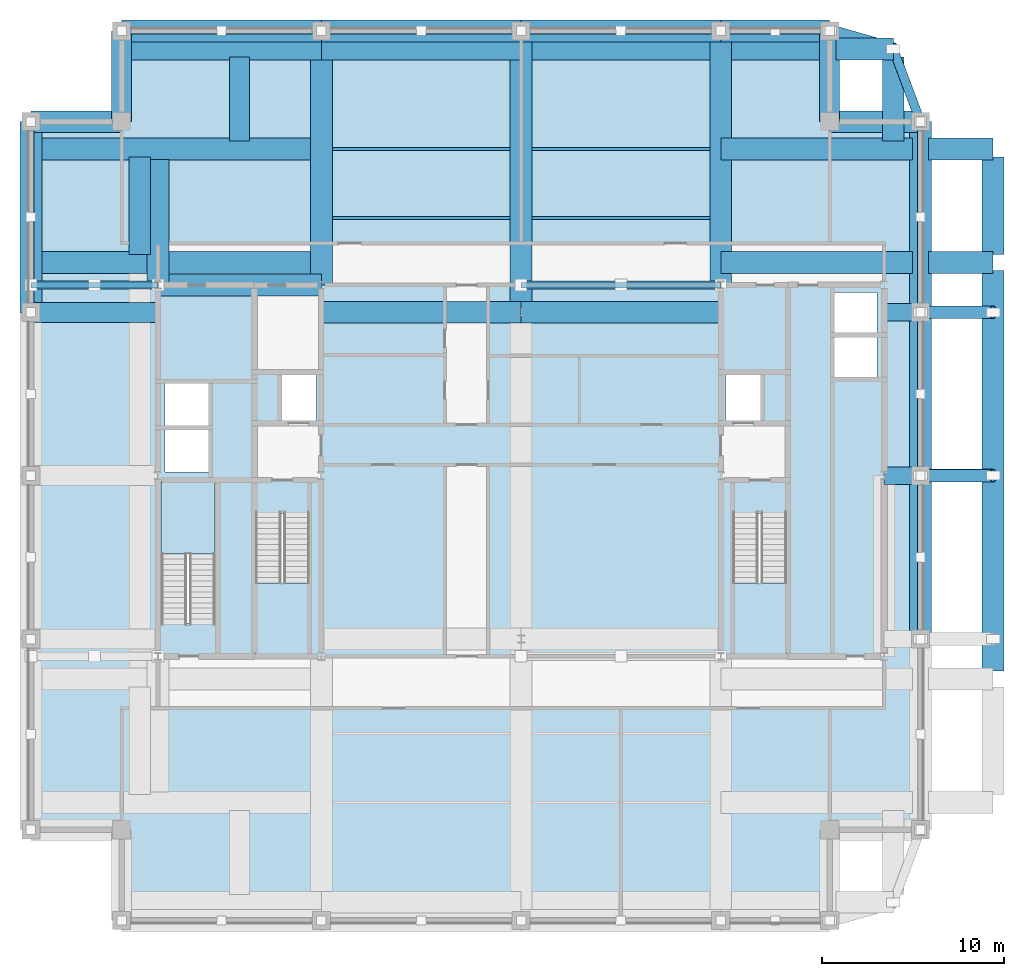
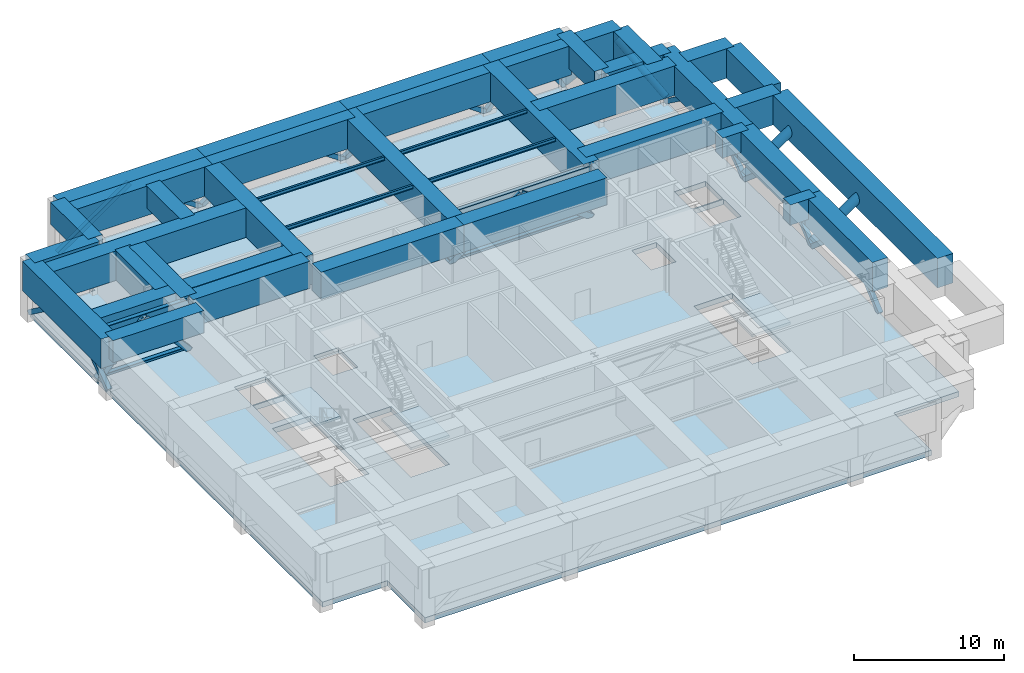
# One storey, part 2 of 9: 41 beams, 28 members, 4 slabs, 3 elements without a shape of their own.
"""IFC4 building model written with IfcOpenShell, lengths in metres."""

from ifc_helpers import new_model, si_unit, direction, frame, origin, origin_2d, place, context, subcontext, project, spatial, polyline, rectangle, hollow_rectangle, hollow_circle, i_section, outline, extrude, material, layer, layer_set, material_profile, profile_set, type_object, element, aggregate, save


model = new_model("IFC4")

# Units and contexts
model_context = context("Model", 3, precision=1e-05, world=origin(), true_north=direction((0.0, 1.0)))
body_context = subcontext(model_context, "Body", "Model", "MODEL_VIEW")
ifc_project = project(units=[si_unit("LENGTHUNIT", "METRE"), si_unit("AREAUNIT", "SQUARE_METRE"), si_unit("VOLUMEUNIT", "CUBIC_METRE"), si_unit("PLANEANGLEUNIT", "RADIAN"), si_unit("MASSUNIT", "GRAM", prefix="KILO")], contexts=[model_context])

# Site, building, storey
site_placement = place(None, origin())
site = spatial("IfcSite", under=ifc_project, at=site_placement, CompositionType="ELEMENT")
building_placement = place(site_placement, origin())
building = spatial("IfcBuilding", under=site, at=building_placement, Name="Zulmaris Gate Convention Tower", CompositionType="ELEMENT")
storey_placement = place(building_placement, frame((0.0, 0.0, 222.06005859375)))
storey = spatial("IfcBuildingStorey", under=building, at=storey_placement, Name="L58", CompositionType="ELEMENT", Elevation=222.06005859375)

# Beams
ifc_material_1 = material(Name="Concrete C80/95", Category="concrete")
ifc_material_profile_1 = material_profile(ifc_material_1, rectangle(XDim=0.949951171875, YDim=1.64990234375, at=origin_2d()), Name="RC TRANSFER 950x1650")
ifc_profile_set_1 = profile_set([ifc_material_profile_1], Name="Concrete C80/95")
beam_type_1 = type_object("IfcBeamType", Name="BM-XFER1650", PredefinedType="BEAM", material=ifc_profile_set_1)
for number, where, z_axis, x_axis, name in (
    (1, (20.0, 0.0, 3.510009765625), (1.0, 0.0, 0.0), (0.0, 1.0, 0.0), "L58 Beam BM-L58-G20"),
    (2, (20.0, 9.0, 3.510009765625), (1.0, 0.0, 0.0), (0.0, 1.0, 0.0), "L58 Beam BM-L58-G21"),
):
    element("IfcBeam", number, at=place(storey_placement, frame(where, z_axis=z_axis, x_axis=x_axis)), inside=storey, type_object=beam_type_1, Name=name, PredefinedType="BEAM", context=body_context, shape_type="SweptSolid", body=[
        extrude(rectangle(XDim=0.949951171875, YDim=1.64990234375, at=origin_2d()), origin(), (0.0, 0.0, 1.0), 2.0),
    ])
ifc_material_profile_2 = material_profile(ifc_material_1, rectangle(XDim=1.10009765625, YDim=1.800048828125, at=origin_2d()), Name="RC TRANSFER 1100x1800")
ifc_profile_set_2 = profile_set([ifc_material_profile_2], Name="Concrete C80/95")
beam_type_2 = type_object("IfcBeamType", Name="BM-XFER1800", PredefinedType="BEAM", material=ifc_profile_set_2)
for number, where, z_axis, x_axis, name in (
    (3, (-22.0, 19.5, 3.43505859375), (0.0, 1.0, 0.0), (-1.0, 0.0, 0.0), "L58 Beam XFCOLV-L58-CXWN"),
    (4, (17.0, 19.5, 3.43505859375), (0.0, 1.0, 0.0), (-1.0, 0.0, 0.0), "L58 Beam XFCOLV-L58-CXEN"),
):
    element("IfcBeam", number, at=place(storey_placement, frame(where, z_axis=z_axis, x_axis=x_axis)), inside=storey, type_object=beam_type_2, Name=name, PredefinedType="BEAM", context=body_context, shape_type="SweptSolid", body=[
        extrude(rectangle(XDim=1.10009765625, YDim=1.800048828125, at=origin_2d()), origin(), (0.0, 0.0, 1.0), 5.0),
    ])
beam_1_placement = place(storey_placement, frame((-15.5, 18.43505859375, 3.43505859375), z_axis=(0.0, 1.0, 0.0), x_axis=(-1.0, 0.0, 0.0)))
element("IfcBeam", 5, at=beam_1_placement, inside=storey, type_object=beam_type_2, Name="L58 Beam XFNCH-L58-WC-+18.0", PredefinedType="BEAM", context=body_context, shape_type="SweptSolid", body=[
    extrude(rectangle(XDim=1.10009765625, YDim=1.800048828125, at=origin_2d()), origin(), (0.0, 0.0, 1.0), 4.6298828125),
])
beam_2_placement = place(storey_placement, frame((-27.0, 9.0, 3.43505859375), z_axis=(1.0, 0.0, 0.0), x_axis=(0.0, 1.0, 0.0)))
element("IfcBeam", 6, at=beam_2_placement, inside=storey, type_object=beam_type_2, Name="L58 Beam BM-L58-G18", PredefinedType="BEAM", context=body_context, shape_type="SweptSolid", body=[
    extrude(rectangle(XDim=1.10009765625, YDim=1.800048828125, at=origin_2d()), origin(), (0.0, 0.0, 1.0), 7.0),
])
ifc_material_profile_3 = material_profile(ifc_material_1, rectangle(XDim=1.199951171875, YDim=2.199951171875, at=origin_2d()), Name="RC TRANSFER 1200x2200")
ifc_profile_set_3 = profile_set([ifc_material_profile_3], Name="Concrete C80/95")
beam_type_3 = type_object("IfcBeamType", Name="BM-XFER2200", PredefinedType="BEAM", material=ifc_profile_set_3)
for number, where, z_axis, x_axis, name in (
    (7, (-11.0, 9.0, 3.235107421875), (1.0, 0.0, 0.0), (0.0, 1.0, 0.0), "L58 Beam BM-L58-G03"),
    (8, (0.0, 9.0, 3.235107421875), (1.0, 0.0, 0.0), (0.0, 1.0, 0.0), "L58 Beam BM-L58-G04"),
):
    element("IfcBeam", number, at=place(storey_placement, frame(where, z_axis=z_axis, x_axis=x_axis)), inside=storey, type_object=beam_type_3, Name=name, PredefinedType="BEAM", context=body_context, shape_type="SweptSolid", body=[
        extrude(rectangle(XDim=1.199951171875, YDim=2.199951171875, at=origin_2d()), origin(), (0.0, 0.0, 1.0), 11.0),
    ])
beam_3_placement = place(storey_placement, frame((-20.0, 10.5, 3.235107421875), z_axis=(0.0, 1.0, 0.0), x_axis=(-1.0, 0.0, 0.0)))
element("IfcBeam", 9, at=beam_3_placement, inside=storey, type_object=beam_type_3, Name="L58 Beam BM-L58-G13", PredefinedType="BEAM", context=body_context, shape_type="SweptSolid", body=[
    extrude(rectangle(XDim=1.199951171875, YDim=2.199951171875, at=origin_2d()), origin(), (0.0, 0.0, 1.0), 6.9150390625),
])
beam_4_placement = place(storey_placement, frame((-20.0, 10.5, 3.235107421875), z_axis=(1.0, 0.0, 0.0), x_axis=(0.0, 1.0, 0.0)))
element("IfcBeam", 10, at=beam_4_placement, inside=storey, type_object=beam_type_3, Name="L58 Beam BM-L58-G23", PredefinedType="BEAM", context=body_context, shape_type="SweptSolid", body=[
    extrude(rectangle(XDim=1.199951171875, YDim=2.199951171875, at=origin_2d()), origin(), (0.0, 0.0, 1.0), 9.0),
])
ifc_material_profile_4 = material_profile(ifc_material_1, rectangle(XDim=1.199951171875, YDim=2.39990234375, at=origin_2d()), Name="RC TRANSFER 1200x2400")
ifc_profile_set_4 = profile_set([ifc_material_profile_4], Name="Concrete C80/95")
beam_type_4 = type_object("IfcBeamType", Name="BM-XFER2400", PredefinedType="BEAM", material=ifc_profile_set_4)
beam_5_placement = place(storey_placement, frame((-27.0, 9.0, 3.135009765625), z_axis=(0.0, 1.0, 0.0), x_axis=(-1.0, 0.0, 0.0)))
element("IfcBeam", 11, at=beam_5_placement, inside=storey, type_object=beam_type_4, Name="L58 Beam XFCOLV-L58-XWN", PredefinedType="BEAM", context=body_context, shape_type="SweptSolid", body=[
    extrude(rectangle(XDim=1.199951171875, YDim=2.39990234375, at=origin_2d()), origin(), (0.0, 0.0, 1.0), 10.5),
])
for number, where, z_axis, x_axis, name in (
    (12, (22.0, -9.0, 3.135009765625), (0.0, 1.0, 0.0), (-1.0, 0.0, 0.0), "L58 Beam XFCOLV-L58-XEM1"),
    (13, (22.0, 0.0, 3.135009765625), (0.0, 1.0, 0.0), (-1.0, 0.0, 0.0), "L58 Beam XFCOLV-L58-XEM2"),
):
    element("IfcBeam", number, at=place(storey_placement, frame(where, z_axis=z_axis, x_axis=x_axis)), inside=storey, type_object=beam_type_4, Name=name, PredefinedType="BEAM", context=body_context, shape_type="SweptSolid", body=[
        extrude(rectangle(XDim=1.199951171875, YDim=2.39990234375, at=origin_2d()), origin(), (0.0, 0.0, 1.0), 9.0),
    ])
beam_6_placement = place(storey_placement, frame((22.0, 9.0, 3.135009765625), z_axis=(0.0, 1.0, 0.0), x_axis=(-1.0, 0.0, 0.0)))
element("IfcBeam", 14, at=beam_6_placement, inside=storey, type_object=beam_type_4, Name="L58 Beam XFCOLV-L58-XEN", PredefinedType="BEAM", context=body_context, shape_type="SweptSolid", body=[
    extrude(rectangle(XDim=1.199951171875, YDim=2.39990234375, at=origin_2d()), origin(), (0.0, 0.0, 1.0), 10.5),
])
for number, where, z_axis, x_axis, name in (
    (15, (-11.0, 10.5, 3.135009765625), (0.0, 1.0, 0.0), (-1.0, 0.0, 0.0), "L58 Beam XFCOLV-L58-C11WN"),
    (16, (11.0, 10.5, 3.135009765625), (0.0, 1.0, 0.0), (-1.0, 0.0, 0.0), "L58 Beam XFCOLV-L58-C11EN"),
):
    element("IfcBeam", number, at=place(storey_placement, frame(where, z_axis=z_axis, x_axis=x_axis)), inside=storey, type_object=beam_type_4, Name=name, PredefinedType="BEAM", context=body_context, shape_type="SweptSolid", body=[
        extrude(rectangle(XDim=1.199951171875, YDim=2.39990234375, at=origin_2d()), origin(), (0.0, 0.0, 1.0), 14.0),
    ])
beam_7_placement = place(storey_placement, frame((0.0, 9.0, 3.135009765625), z_axis=(0.0, 1.0, 0.0), x_axis=(-1.0, 0.0, 0.0)))
element("IfcBeam", 17, at=beam_7_placement, inside=storey, type_object=beam_type_4, Name="L58 Beam XFCOLV-L58-C0N", PredefinedType="BEAM", context=body_context, shape_type="SweptSolid", body=[
    extrude(rectangle(XDim=1.199951171875, YDim=2.39990234375, at=origin_2d()), origin(), (0.0, 0.0, 1.0), 15.5),
])
beam_8_placement = place(storey_placement, frame((11.0, 11.75, 3.135009765625), z_axis=(1.0, 0.0, 0.0), x_axis=(0.0, 1.0, 0.0)))
element("IfcBeam", 18, at=beam_8_placement, inside=storey, type_object=beam_type_4, Name="L58 Beam XFBS-L58-E-+11.75", PredefinedType="BEAM", context=body_context, shape_type="SweptSolid", body=[
    extrude(rectangle(XDim=1.199951171875, YDim=2.39990234375, at=origin_2d()), origin(), (0.0, 0.0, 1.0), 10.56494140625),
])
beam_9_placement = place(storey_placement, frame((22.43505859375, 11.75, 3.135009765625), z_axis=(1.0, 0.0, 0.0), x_axis=(0.0, 1.0, 0.0)))
element("IfcBeam", 19, at=beam_9_placement, inside=storey, type_object=beam_type_4, Name="L58 Beam XFSF-L58-E-+11.75", PredefinedType="BEAM", context=body_context, shape_type="SweptSolid", body=[
    extrude(rectangle(XDim=1.199951171875, YDim=2.39990234375, at=origin_2d()), origin(), (0.0, 0.0, 1.0), 3.56494140625),
])
beam_10_placement = place(storey_placement, frame((11.0, 18.0, 3.135009765625), z_axis=(1.0, 0.0, 0.0), x_axis=(0.0, 1.0, 0.0)))
element("IfcBeam", 20, at=beam_10_placement, inside=storey, type_object=beam_type_4, Name="L58 Beam XFBS-L58-E-+18.00", PredefinedType="BEAM", context=body_context, shape_type="SweptSolid", body=[
    extrude(rectangle(XDim=1.199951171875, YDim=2.39990234375, at=origin_2d()), origin(), (0.0, 0.0, 1.0), 10.56494140625),
])
beam_11_placement = place(storey_placement, frame((22.43505859375, 18.0, 3.135009765625), z_axis=(1.0, 0.0, 0.0), x_axis=(0.0, 1.0, 0.0)))
element("IfcBeam", 21, at=beam_11_placement, inside=storey, type_object=beam_type_4, Name="L58 Beam XFSF-L58-E-+18.00", PredefinedType="BEAM", context=body_context, shape_type="SweptSolid", body=[
    extrude(rectangle(XDim=1.199951171875, YDim=2.39990234375, at=origin_2d()), origin(), (0.0, 0.0, 1.0), 3.56494140625),
])
beam_12_placement = place(storey_placement, frame((26.0, -10.764892578125, 3.135009765625), z_axis=(0.0, 1.0, 0.0), x_axis=(-1.0, 0.0, 0.0)))
element("IfcBeam", 22, at=beam_12_placement, inside=storey, type_object=beam_type_4, Name="L58 Beam XFEDG-L58-EM", PredefinedType="BEAM", context=body_context, shape_type="SweptSolid", body=[
    extrude(rectangle(XDim=1.199951171875, YDim=2.39990234375, at=origin_2d()), origin(), (0.0, 0.0, 1.0), 22.079833984375),
])
beam_13_placement = place(storey_placement, frame((26.0, 12.18505859375, 3.135009765625), z_axis=(0.0, 1.0, 0.0), x_axis=(-1.0, 0.0, 0.0)))
element("IfcBeam", 23, at=beam_13_placement, inside=storey, type_object=beam_type_4, Name="L58 Beam XFEDG-L58-EN", PredefinedType="BEAM", context=body_context, shape_type="SweptSolid", body=[
    extrude(rectangle(XDim=1.199951171875, YDim=2.39990234375, at=origin_2d()), origin(), (0.0, 0.0, 1.0), 5.3798828125),
])
beam_14_placement = place(storey_placement, frame((0.43505859375, 23.5, 3.135009765625), z_axis=(1.0, 0.0, 0.0), x_axis=(0.0, 1.0, 0.0)))
element("IfcBeam", 24, at=beam_14_placement, inside=storey, type_object=beam_type_4, Name="L58 Beam XFBS-L58-EC-+23.5", PredefinedType="BEAM", context=body_context, shape_type="SweptSolid", body=[
    extrude(rectangle(XDim=1.199951171875, YDim=2.39990234375, at=origin_2d()), origin(), (0.0, 0.0, 1.0), 16.22998046875),
])
beam_15_placement = place(storey_placement, frame((17.3349609375, 23.5, 3.135009765625), z_axis=(1.0, 0.0, 0.0), x_axis=(0.0, 1.0, 0.0)))
element("IfcBeam", 25, at=beam_15_placement, inside=storey, type_object=beam_type_4, Name="L58 Beam XFSF-L58-EC-+23.5", PredefinedType="BEAM", context=body_context, shape_type="SweptSolid", body=[
    extrude(rectangle(XDim=1.199951171875, YDim=2.39990234375, at=origin_2d()), origin(), (0.0, 0.0, 1.0), 3.1650390625),
])
for number, where, z_axis, x_axis, name in (
    (26, (-27.0, 11.75, 3.135009765625), (1.0, 0.0, 0.0), (0.0, 1.0, 0.0), "L58 Beam XFREC-L58-W-+11.75"),
    (27, (-27.0, 18.0, 3.135009765625), (1.0, 0.0, 0.0), (0.0, 1.0, 0.0), "L58 Beam XFREC-L58-W-+18.00"),
):
    element("IfcBeam", number, at=place(storey_placement, frame(where, z_axis=z_axis, x_axis=x_axis)), inside=storey, type_object=beam_type_4, Name=name, PredefinedType="BEAM", context=body_context, shape_type="SweptSolid", body=[
        extrude(rectangle(XDim=1.199951171875, YDim=2.39990234375, at=origin_2d()), origin(), (0.0, 0.0, 1.0), 16.0),
    ])
beam_16_placement = place(storey_placement, frame((-21.0, 12.18505859375, 3.135009765625), z_axis=(0.0, 1.0, 0.0), x_axis=(-1.0, 0.0, 0.0)))
element("IfcBeam", 28, at=beam_16_placement, inside=storey, type_object=beam_type_4, Name="L58 Beam XFEDG-L58-WN", PredefinedType="BEAM", context=body_context, shape_type="SweptSolid", body=[
    extrude(rectangle(XDim=1.199951171875, YDim=2.39990234375, at=origin_2d()), origin(), (0.0, 0.0, 1.0), 5.3798828125),
])
for number, where, z_axis, x_axis, name in (
    (29, (-22.0, 23.5, 3.135009765625), (1.0, 0.0, 0.0), (0.0, 1.0, 0.0), "L58 Beam XFREC-L58-WC-+23.5"),
    (30, (-11.0, 23.5, 3.135009765625), (1.0, 0.0, 0.0), (0.0, 1.0, 0.0), "L58 Beam XFREC-L58-M1-+23.5"),
):
    element("IfcBeam", number, at=place(storey_placement, frame(where, z_axis=z_axis, x_axis=x_axis)), inside=storey, type_object=beam_type_4, Name=name, PredefinedType="BEAM", context=body_context, shape_type="SweptSolid", body=[
        extrude(rectangle(XDim=1.199951171875, YDim=2.39990234375, at=origin_2d()), origin(), (0.0, 0.0, 1.0), 11.0),
    ])
beam_17_placement = place(storey_placement, frame((20.5, 18.43505859375, 3.135009765625), z_axis=(0.0, 1.0, 0.0), x_axis=(-1.0, 0.0, 0.0)))
element("IfcBeam", 31, at=beam_17_placement, inside=storey, type_object=beam_type_4, Name="L58 Beam XFNCH-L58-EC-+18.0", PredefinedType="BEAM", context=body_context, shape_type="SweptSolid", body=[
    extrude(rectangle(XDim=1.199951171875, YDim=2.39990234375, at=origin_2d()), origin(), (0.0, 0.0, 1.0), 4.6298828125),
])
beam_18_placement = place(storey_placement, frame((22.0, 19.5, 3.135009765625), z_axis=(-1.0, 0.0, 0.0), x_axis=(0.0, -1.0, 0.0)))
element("IfcBeam", 32, at=beam_18_placement, inside=storey, type_object=beam_type_4, Name="L58 Beam SP-L58-11", PredefinedType="BEAM", context=body_context, shape_type="SweptSolid", body=[
    extrude(rectangle(XDim=1.199951171875, YDim=2.39990234375, at=origin_2d()), origin(), (0.0, 0.0, 1.0), 5.0),
])
beam_19_placement = place(storey_placement, frame((17.0, 24.5, 3.135009765625), z_axis=(-1.0, 0.0, 0.0), x_axis=(0.0, -1.0, 0.0)))
element("IfcBeam", 33, at=beam_19_placement, inside=storey, type_object=beam_type_4, Name="L58 Beam SP-L58-13", PredefinedType="BEAM", context=body_context, shape_type="SweptSolid", body=[
    extrude(rectangle(XDim=1.199951171875, YDim=2.39990234375, at=origin_2d()), origin(), (0.0, 0.0, 1.0), 6.0),
])
for number, where, z_axis, x_axis, name in (
    (34, (11.0, 24.5, 3.135009765625), (-1.0, 0.0, 0.0), (0.0, -1.0, 0.0), "L58 Beam SP-L58-14"),
    (35, (0.0, 24.5, 3.135009765625), (-1.0, 0.0, 0.0), (0.0, -1.0, 0.0), "L58 Beam SP-L58-15"),
    (36, (-11.0, 24.5, 3.135009765625), (-1.0, 0.0, 0.0), (0.0, -1.0, 0.0), "L58 Beam SP-L58-16"),
):
    element("IfcBeam", number, at=place(storey_placement, frame(where, z_axis=z_axis, x_axis=x_axis)), inside=storey, type_object=beam_type_4, Name=name, PredefinedType="BEAM", context=body_context, shape_type="SweptSolid", body=[
        extrude(rectangle(XDim=1.199951171875, YDim=2.39990234375, at=origin_2d()), origin(), (0.0, 0.0, 1.0), 11.0),
    ])
beam_20_placement = place(storey_placement, frame((-22.0, 19.5, 3.135009765625), z_axis=(-1.0, 0.0, 0.0), x_axis=(0.0, -1.0, 0.0)))
element("IfcBeam", 37, at=beam_20_placement, inside=storey, type_object=beam_type_4, Name="L58 Beam SP-L58-18", PredefinedType="BEAM", context=body_context, shape_type="SweptSolid", body=[
    extrude(rectangle(XDim=1.199951171875, YDim=2.39990234375, at=origin_2d()), origin(), (0.0, 0.0, 1.0), 5.0),
])

# Members
ifc_material_2 = material(Name="Steel S460", Category="steel")
ifc_material_profile_5 = material_profile(ifc_material_2, hollow_circle(Radius=0.25390625, WallThickness=0.02490234375, at=origin_2d()), Name="CHS 508x25")
ifc_profile_set_5 = profile_set([ifc_material_profile_5], Name="Steel S460")
member_type_1 = type_object("IfcMemberType", Name="BR-CHS508", PredefinedType="BRACE", material=ifc_profile_set_5)
member_1_placement = place(storey_placement, frame((22.0, 19.5, 0.35009765625), z_axis=(-0.294141761469, 0.784378030584, 0.546105968926), x_axis=(-0.936329177569, -0.351123441588, 0.0)))
element("IfcMember", 38, at=member_1_placement, inside=storey, type_object=member_type_1, Name="L58 Shifted Block Notch Web Strut EC +23.5", PredefinedType="BRACE", context=body_context, shape_type="SweptSolid", body=[
    extrude(hollow_circle(Radius=0.25390625, WallThickness=0.02490234375, at=origin_2d()), origin(), (0.0, 0.0, 1.0), 5.099609375),
])
ifc_material_profile_6 = material_profile(ifc_material_2, hollow_circle(Radius=0.35546875, WallThickness=0.035888671875, at=origin_2d()), Name="CHS 711x36")
ifc_profile_set_6 = profile_set([ifc_material_profile_6], Name="Steel S460")
member_type_2 = type_object("IfcMemberType", Name="BR-CHS711", PredefinedType="BRACE", material=ifc_profile_set_6)
for number, where, z_axis, x_axis, name in (
    (39, (22.0, 0.0, 0.35009765625), (0.82068359301, 0.0, 0.571382919035), (0.0, 1.0, 0.0), "L58 Shifted Block Transfer Raking Strut E +0.0"),
    (40, (22.0, 9.0, 0.35009765625), (0.82068359301, 0.0, 0.571382919035), (0.0, 1.0, 0.0), "L58 Shifted Block Transfer Raking Strut E +9.0"),
):
    element("IfcMember", number, at=place(storey_placement, frame(where, z_axis=z_axis, x_axis=x_axis)), inside=storey, type_object=member_type_2, Name=name, PredefinedType="BRACE", context=body_context, shape_type="SweptSolid", body=[
        extrude(hollow_circle(Radius=0.35546875, WallThickness=0.035888671875, at=origin_2d()), origin(), (0.0, 0.0, 1.0), 4.8740234375),
    ])
member_2_placement = place(storey_placement, frame((17.0, 24.5, 0.35009765625), z_axis=(0.763658338909, -0.218188096831, 0.607634672987), x_axis=(0.274721127897, 0.961523947641, 0.0)))
element("IfcMember", 41, at=member_2_placement, inside=storey, type_object=member_type_2, Name="L58 Shifted Block Corner Raking Strut EC +23.5", PredefinedType="BRACE", context=body_context, shape_type="SweptSolid", body=[
    extrude(hollow_circle(Radius=0.35546875, WallThickness=0.035888671875, at=origin_2d()), origin(), (0.0, 0.0, 1.0), 4.583251953125),
])
ifc_material_profile_7 = material_profile(ifc_material_2, hollow_rectangle(XDim=0.35009765625, YDim=0.35009765625, WallThickness=0.01611328125, at=origin_2d()), Name="SHS 350x350x16")
ifc_profile_set_7 = profile_set([ifc_material_profile_7], Name="Steel S460")
member_type_3 = type_object("IfcMemberType", Name="BR-SHS350", PredefinedType="BRACE", material=ifc_profile_set_7)
for number, where, z_axis, x_axis, name in (
    (42, (-22.0, 24.5, 0.0), (0.82028427934, 0.0, 0.571956030712), (0.0, 1.0, 0.0), "L58 Perimeter Belt Truss Diagonal 05-1"),
    (43, (-16.5, 24.5, 3.8349609375), (0.82028427934, 0.0, -0.571956030712), (0.0, 1.0, 0.0), "L58 Perimeter Belt Truss Diagonal 05-2"),
    (44, (-11.0, 24.5, 0.0), (0.82028427934, 0.0, 0.571956030712), (0.0, 1.0, 0.0), "L58 Perimeter Belt Truss Diagonal 06-1"),
    (45, (-5.5, 24.5, 3.8349609375), (0.82028427934, 0.0, -0.571956030712), (0.0, 1.0, 0.0), "L58 Perimeter Belt Truss Diagonal 06-2"),
    (46, (0.0, 24.5, 0.0), (0.82028427934, 0.0, 0.571956030712), (0.0, 1.0, 0.0), "L58 Perimeter Belt Truss Diagonal 07-1"),
    (47, (5.5, 24.5, 3.8349609375), (0.82028427934, 0.0, -0.571956030712), (0.0, 1.0, 0.0), "L58 Perimeter Belt Truss Diagonal 07-2"),
):
    element("IfcMember", number, at=place(storey_placement, frame(where, z_axis=z_axis, x_axis=x_axis)), inside=storey, type_object=member_type_3, Name=name, PredefinedType="BRACE", context=body_context, shape_type="SweptSolid", body=[
        extrude(hollow_rectangle(XDim=0.35009765625, YDim=0.35009765625, WallThickness=0.01611328125, at=origin_2d()), origin(), (0.0, 0.0, 1.0), 6.705078125),
    ])
for number, where, z_axis, x_axis, name in (
    (48, (11.0, 24.5, 0.0), (0.616146006879, 0.0, 0.78763195606), (0.0, 1.0, 0.0), "L58 Perimeter Belt Truss Diagonal 08-1"),
    (49, (14.0, 24.5, 3.8349609375), (0.616146006879, 0.0, -0.78763195606), (0.0, 1.0, 0.0), "L58 Perimeter Belt Truss Diagonal 08-2"),
):
    element("IfcMember", number, at=place(storey_placement, frame(where, z_axis=z_axis, x_axis=x_axis)), inside=storey, type_object=member_type_3, Name=name, PredefinedType="BRACE", context=body_context, shape_type="SweptSolid", body=[
        extrude(hollow_rectangle(XDim=0.35009765625, YDim=0.35009765625, WallThickness=0.01611328125, at=origin_2d()), origin(), (0.0, 0.0, 1.0), 4.868896484375),
    ])
for number, where, z_axis, x_axis, name in (
    (50, (-27.0, 9.0, 0.0), (0.0, 0.807506694301, 0.589858405602), (-1.0, 0.0, 0.0), "L58 Perimeter Belt Truss Diagonal 12-1"),
    (51, (-27.0, 14.25, 3.8349609375), (0.0, 0.807506694301, -0.589858405602), (-1.0, 0.0, 0.0), "L58 Perimeter Belt Truss Diagonal 12-2"),
):
    element("IfcMember", number, at=place(storey_placement, frame(where, z_axis=z_axis, x_axis=x_axis)), inside=storey, type_object=member_type_3, Name=name, PredefinedType="BRACE", context=body_context, shape_type="SweptSolid", body=[
        extrude(hollow_rectangle(XDim=0.35009765625, YDim=0.35009765625, WallThickness=0.01611328125, at=origin_2d()), origin(), (0.0, 0.0, 1.0), 6.50146484375),
    ])
for number, where, z_axis, x_axis, name in (
    (52, (22.0, -9.0, 0.0), (0.0, 0.761107322007, 0.648625966476), (-1.0, 0.0, 0.0), "L58 Perimeter Belt Truss Diagonal 14-1"),
    (53, (22.0, -4.5, 3.8349609375), (0.0, 0.761107322007, -0.648625966476), (-1.0, 0.0, 0.0), "L58 Perimeter Belt Truss Diagonal 14-2"),
    (54, (22.0, 0.0, 0.0), (0.0, 0.761107322007, 0.648625966476), (-1.0, 0.0, 0.0), "L58 Perimeter Belt Truss Diagonal 15-1"),
    (55, (22.0, 4.5, 3.8349609375), (0.0, 0.761107322007, -0.648625966476), (-1.0, 0.0, 0.0), "L58 Perimeter Belt Truss Diagonal 15-2"),
):
    element("IfcMember", number, at=place(storey_placement, frame(where, z_axis=z_axis, x_axis=x_axis)), inside=storey, type_object=member_type_3, Name=name, PredefinedType="BRACE", context=body_context, shape_type="SweptSolid", body=[
        extrude(hollow_rectangle(XDim=0.35009765625, YDim=0.35009765625, WallThickness=0.01611328125, at=origin_2d()), origin(), (0.0, 0.0, 1.0), 5.912353515625),
    ])
for number, where, z_axis, x_axis, name in (
    (56, (22.0, 9.0, 0.0), (0.0, 0.807506694301, 0.589858405602), (-1.0, 0.0, 0.0), "L58 Perimeter Belt Truss Diagonal 16-1"),
    (57, (22.0, 14.25, 3.8349609375), (0.0, 0.807506694301, -0.589858405602), (-1.0, 0.0, 0.0), "L58 Perimeter Belt Truss Diagonal 16-2"),
):
    element("IfcMember", number, at=place(storey_placement, frame(where, z_axis=z_axis, x_axis=x_axis)), inside=storey, type_object=member_type_3, Name=name, PredefinedType="BRACE", context=body_context, shape_type="SweptSolid", body=[
        extrude(hollow_rectangle(XDim=0.35009765625, YDim=0.35009765625, WallThickness=0.01611328125, at=origin_2d()), origin(), (0.0, 0.0, 1.0), 6.50146484375),
    ])
ifc_material_profile_8 = material_profile(ifc_material_2, hollow_rectangle(XDim=0.449951171875, YDim=0.449951171875, WallThickness=0.02490234375, at=origin_2d()), Name="SHS 450x450x25")
ifc_profile_set_8 = profile_set([ifc_material_profile_8], Name="Steel S460")
member_type_4 = type_object("IfcMemberType", Name="BR-SHS450", PredefinedType="BRACE", material=ifc_profile_set_8)
for number, where, z_axis, x_axis, name in (
    (58, (-27.0, 10.5, 0.0), (0.674113253952, 0.0, 0.738627998959), (0.0, 1.0, 0.0), "L58 Outrigger Truss Diagonal OT-L58-DG-+10.5--27-A"),
    (59, (-23.5, 10.5, 3.8349609375), (0.674113253952, 0.0, -0.738627998959), (0.0, 1.0, 0.0), "L58 Outrigger Truss Diagonal OT-L58-DG-+10.5--27-B"),
):
    element("IfcMember", number, at=place(storey_placement, frame(where, z_axis=z_axis, x_axis=x_axis)), inside=storey, type_object=member_type_4, Name=name, PredefinedType="BRACE", context=body_context, shape_type="SweptSolid", body=[
        extrude(hollow_rectangle(XDim=0.449951171875, YDim=0.449951171875, WallThickness=0.02490234375, at=origin_2d()), origin(), (0.0, 0.0, 1.0), 5.19189453125),
    ])
for number, where, z_axis, x_axis, name in (
    (60, (0.0, 10.5, 0.0), (0.82028427934, 0.0, 0.571956030712), (0.0, 1.0, 0.0), "L58 Outrigger Truss Diagonal OT-L58-DG-+10.5-+0-A"),
    (61, (5.5, 10.5, 3.8349609375), (0.82028427934, 0.0, -0.571956030712), (0.0, 1.0, 0.0), "L58 Outrigger Truss Diagonal OT-L58-DG-+10.5-+0-B"),
):
    element("IfcMember", number, at=place(storey_placement, frame(where, z_axis=z_axis, x_axis=x_axis)), inside=storey, type_object=member_type_4, Name=name, PredefinedType="BRACE", context=body_context, shape_type="SweptSolid", body=[
        extrude(hollow_rectangle(XDim=0.449951171875, YDim=0.449951171875, WallThickness=0.02490234375, at=origin_2d()), origin(), (0.0, 0.0, 1.0), 6.705078125),
    ])
ifc_material_profile_9 = material_profile(ifc_material_2, i_section(OverallWidth=0.304931640625, OverallDepth=0.6201171875, WebThickness=0.02099609375, FlangeThickness=0.0400390625, FilletRadius=0.027099609375, at=origin_2d()), Name="HEM 600")
ifc_profile_set_9 = profile_set([ifc_material_profile_9], Name="Steel S460")
member_type_5 = type_object("IfcMemberType", Name="CH-HEM600", PredefinedType="CHORD", material=ifc_profile_set_9)
for number, where, z_axis, x_axis, name in (
    (62, (-27.0, 10.5, 0.0), (1.0, 0.0, 0.0), (0.0, 1.0, 0.0), "L58 Outrigger Truss Bottom Chord +10.5"),
    (63, (-27.0, 10.5, 3.8349609375), (1.0, 0.0, 0.0), (0.0, 1.0, 0.0), "L58 Outrigger Truss Top Chord +10.5"),
):
    element("IfcMember", number, at=place(storey_placement, frame(where, z_axis=z_axis, x_axis=x_axis)), inside=storey, type_object=member_type_5, Name=name, PredefinedType="CHORD", context=body_context, shape_type="SweptSolid", body=[
        extrude(i_section(OverallWidth=0.304931640625, OverallDepth=0.6201171875, WebThickness=0.02099609375, FlangeThickness=0.0400390625, FilletRadius=0.027099609375, at=origin_2d()), origin(), (0.0, 0.0, 1.0), 7.0),
    ])
for number, where, z_axis, x_axis, name in (
    (64, (0.0, 10.5, 0.0), (1.0, 0.0, 0.0), (0.0, 1.0, 0.0), "L58 Outrigger Truss Bottom Chord +10.5"),
    (65, (0.0, 10.5, 3.8349609375), (1.0, 0.0, 0.0), (0.0, 1.0, 0.0), "L58 Outrigger Truss Top Chord +10.5"),
):
    element("IfcMember", number, at=place(storey_placement, frame(where, z_axis=z_axis, x_axis=x_axis)), inside=storey, type_object=member_type_5, Name=name, PredefinedType="CHORD", context=body_context, shape_type="SweptSolid", body=[
        extrude(i_section(OverallWidth=0.304931640625, OverallDepth=0.6201171875, WebThickness=0.02099609375, FlangeThickness=0.0400390625, FilletRadius=0.027099609375, at=origin_2d()), origin(), (0.0, 0.0, 1.0), 11.0),
    ])

# Beams
ifc_material_3 = material(Name="Steel S355", Category="steel")
ifc_material_profile_10 = material_profile(ifc_material_3, i_section(OverallWidth=0.14990234375, OverallDepth=0.300048828125, WebThickness=0.007080078125, FlangeThickness=0.0107421875, FilletRadius=0.014892578125, at=origin_2d()), Name="IPE 300")
ifc_profile_set_10 = profile_set([ifc_material_profile_10], Name="Steel S355")
beam_type_5 = type_object("IfcBeamType", Name="JT-IPE300", PredefinedType="JOIST", material=ifc_profile_set_10)
for number, where, z_axis, x_axis, name in (
    (66, (-10.39990234375, 14.199951171875, 4.18310546875), (1.0, 0.0, 0.0), (0.0, 1.0, 0.0), "L58 Joist JT-L58-CW-+14.2"),
    (67, (0.60009765625, 14.199951171875, 4.18310546875), (1.0, 0.0, 0.0), (0.0, 1.0, 0.0), "L58 Joist JT-L58-CE-+14.2"),
    (68, (-10.39990234375, 18.0, 4.18310546875), (1.0, 0.0, 0.0), (0.0, 1.0, 0.0), "L58 Joist JT-L58-CW-+18.0"),
    (69, (0.60009765625, 18.0, 4.18310546875), (1.0, 0.0, 0.0), (0.0, 1.0, 0.0), "L58 Joist JT-L58-CE-+18.0"),
):
    element("IfcBeam", number, at=place(storey_placement, frame(where, z_axis=z_axis, x_axis=x_axis)), inside=storey, type_object=beam_type_5, Name=name, PredefinedType="JOIST", context=body_context, shape_type="SweptSolid", body=[
        extrude(i_section(OverallWidth=0.14990234375, OverallDepth=0.300048828125, WebThickness=0.007080078125, FlangeThickness=0.0107421875, FilletRadius=0.014892578125, at=origin_2d()), origin(), (0.0, 0.0, 1.0), 9.7998046875),
    ])

# Slab
ifc_material_4 = material(Name="Concrete C60/75", Category="concrete")
ifc_layer_1 = layer(ifc_material_4, 0.425048828125, Name="Concrete C60/75")
ifc_layer_set_1 = layer_set([ifc_layer_1], Name="Concrete C60/75")
slab_type_1 = type_object("IfcSlabType", Name="SL-FLR-425", PredefinedType="FLOOR", material=ifc_layer_set_1)
slab_1_placement = place(storey_placement, frame((0.0, 0.0, -0.425048828125)))
element("IfcSlab", 70, at=slab_1_placement, inside=storey, type_object=slab_type_1, Name="L58 Shifted Notched-Square Structural Floor Slab", PredefinedType="FLOOR", context=body_context, shape_type="SweptSolid", body=[
    extrude(outline(polyline([(-22.0, -24.5), (17.0, -24.5), (17.0, -19.5), (22.0, -19.5), (22.0, 19.5), (17.0, 19.5), (17.0, 24.5), (-22.0, 24.5), (-22.0, 19.5), (-27.0, 19.5), (-27.0, -19.5), (-22.0, -19.5), (-22.0, -24.5)]), holes=[polyline([(-14.6201171875, -2.080078125), (-14.6201171875, -9.85009765625), (-11.659912109375, -9.85009765625), (-11.659912109375, -2.080078125), (-14.6201171875, -2.080078125)]), polyline([(11.659912109375, -2.080078125), (11.659912109375, -9.85009765625), (14.6201171875, -9.85009765625), (14.6201171875, -2.080078125), (11.659912109375, -2.080078125)]), polyline([(-16.860107421875, -8.1201171875), (-16.860107421875, -0.35009765625), (-19.820068359375, -0.35009765625), (-19.820068359375, -8.1201171875), (-16.860107421875, -8.1201171875)]), polyline([(-13.199951171875, 3.0), (-11.300048828125, 3.0), (-11.300048828125, 5.60009765625), (-13.199951171875, 5.60009765625), (-13.199951171875, 3.0)]), polyline([(11.300048828125, 3.0), (13.199951171875, 3.0), (13.199951171875, 5.60009765625), (11.300048828125, 5.60009765625), (11.300048828125, 3.0)]), polyline([(17.199951171875, 5.39990234375), (19.60009765625, 5.39990234375), (19.60009765625, 7.699951171875), (17.199951171875, 7.699951171875), (17.199951171875, 5.39990234375)]), polyline([(17.199951171875, 7.800048828125), (19.60009765625, 7.800048828125), (19.60009765625, 10.10009765625), (17.199951171875, 10.10009765625), (17.199951171875, 7.800048828125)]), polyline([(-19.60009765625, 0.199951171875), (-17.199951171875, 0.199951171875), (-17.199951171875, 2.60009765625), (-19.60009765625, 2.60009765625), (-19.60009765625, 0.199951171875)]), polyline([(-19.60009765625, 2.699951171875), (-17.199951171875, 2.699951171875), (-17.199951171875, 5.10009765625), (-19.60009765625, 5.10009765625), (-19.60009765625, 2.699951171875)])]), origin(), (0.0, 0.0, 1.0), 0.425048828125),
])

# Stair, slab
ifc_material_5 = material(Name="Concrete C45/55", Category="concrete")
stair_type = type_object("IfcStairType", Name="ST-CORE-DOGLEG", PredefinedType="HALF_TURN_STAIR", material=ifc_material_5)
stair_1_placement = place(storey_placement, origin())
stair_1 = element("IfcStair", 71, at=stair_1_placement, inside=storey, type_object=stair_type, Name="L58 Core Exit Stair ST-1", PredefinedType="HALF_TURN_STAIR")
ifc_layer_2 = layer(ifc_material_5, 0.199951171875, Name="Concrete C45/55")
ifc_layer_set_2 = layer_set([ifc_layer_2], Name="Concrete C45/55")
slab_type_2 = type_object("IfcSlabType", Name="SL-LND-200", PredefinedType="LANDING", material=ifc_layer_set_2)
slab_2_placement = place(storey_placement, frame((0.0, 0.0, 2.179931640625)))
slab_2 = element("IfcSlab", 72, at=slab_2_placement, type_object=slab_type_2, Name="ST-1 landing 1", PredefinedType="LANDING", context=body_context, shape_type="SweptSolid", body=[
    extrude(outline(polyline([(-14.6201171875, -5.89990234375), (-14.6201171875, -9.85009765625), (-11.659912109375, -9.85009765625), (-11.659912109375, -5.89990234375), (-14.6201171875, -5.89990234375)])), origin(), (0.0, 0.0, 1.0), 0.2001953125),
])
aggregate(stair_1, [slab_2])

stair_2_placement = place(storey_placement, origin())
stair_2 = element("IfcStair", 73, at=stair_2_placement, inside=storey, type_object=stair_type, Name="L58 Core Exit Stair ST-2", PredefinedType="HALF_TURN_STAIR")
slab_3_placement = place(storey_placement, frame((0.0, 0.0, 2.179931640625)))
slab_3 = element("IfcSlab", 74, at=slab_3_placement, type_object=slab_type_2, Name="ST-2 landing 1", PredefinedType="LANDING", context=body_context, shape_type="SweptSolid", body=[
    extrude(outline(polyline([(11.659912109375, -5.89990234375), (11.659912109375, -9.85009765625), (14.6201171875, -9.85009765625), (14.6201171875, -5.89990234375), (11.659912109375, -5.89990234375)])), origin(), (0.0, 0.0, 1.0), 0.2001953125),
])
aggregate(stair_2, [slab_3])

stair_3_placement = place(storey_placement, origin())
stair_3 = element("IfcStair", 75, at=stair_3_placement, inside=storey, type_object=stair_type, Name="L58 Core Exit Stair ST-3", PredefinedType="HALF_TURN_STAIR")
slab_4_placement = place(storey_placement, frame((0.0, 0.0, 2.179931640625)))
slab_4 = element("IfcSlab", 76, at=slab_4_placement, type_object=slab_type_2, Name="ST-3 landing 1", PredefinedType="LANDING", context=body_context, shape_type="SweptSolid", body=[
    extrude(outline(polyline([(-16.860107421875, -4.300048828125), (-16.860107421875, -0.35009765625), (-19.820068359375, -0.35009765625), (-19.820068359375, -4.300048828125), (-16.860107421875, -4.300048828125)])), origin(), (0.0, 0.0, 1.0), 0.2001953125),
])
aggregate(stair_3, [slab_4])

save(model, "model.ifc")
